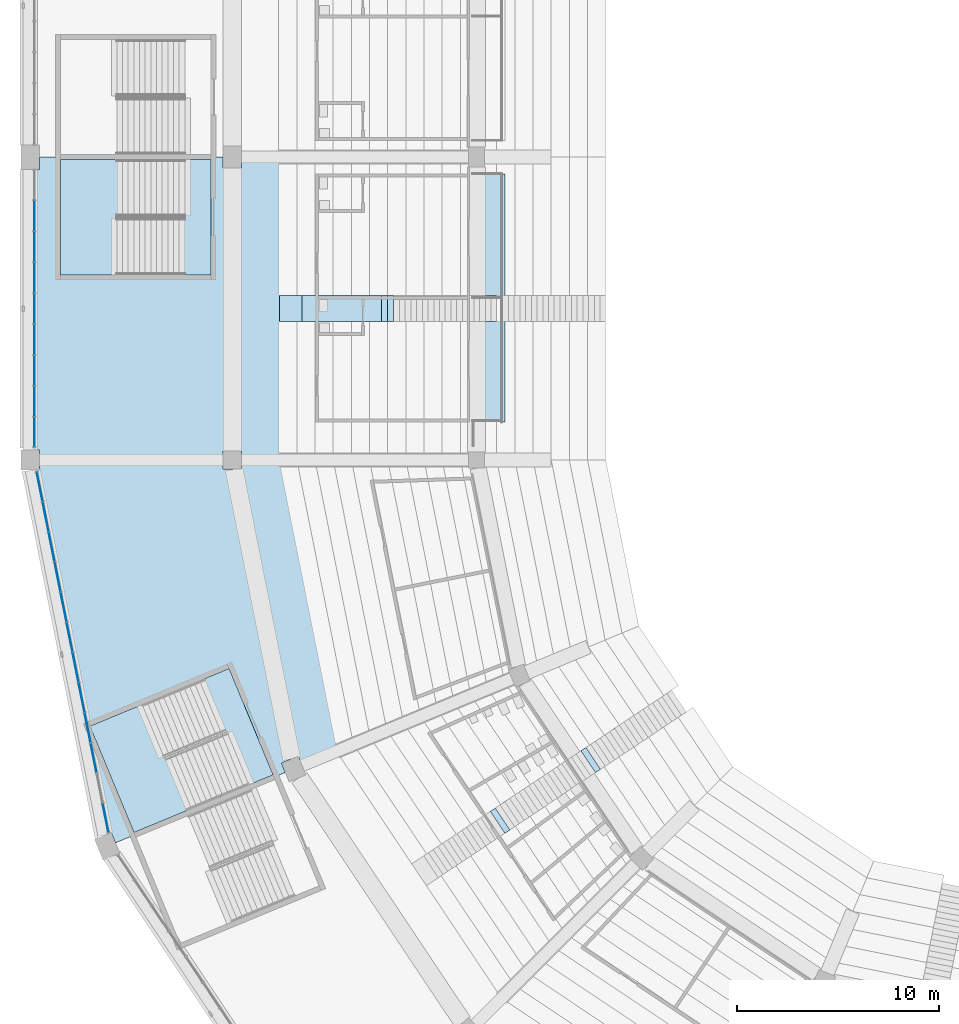
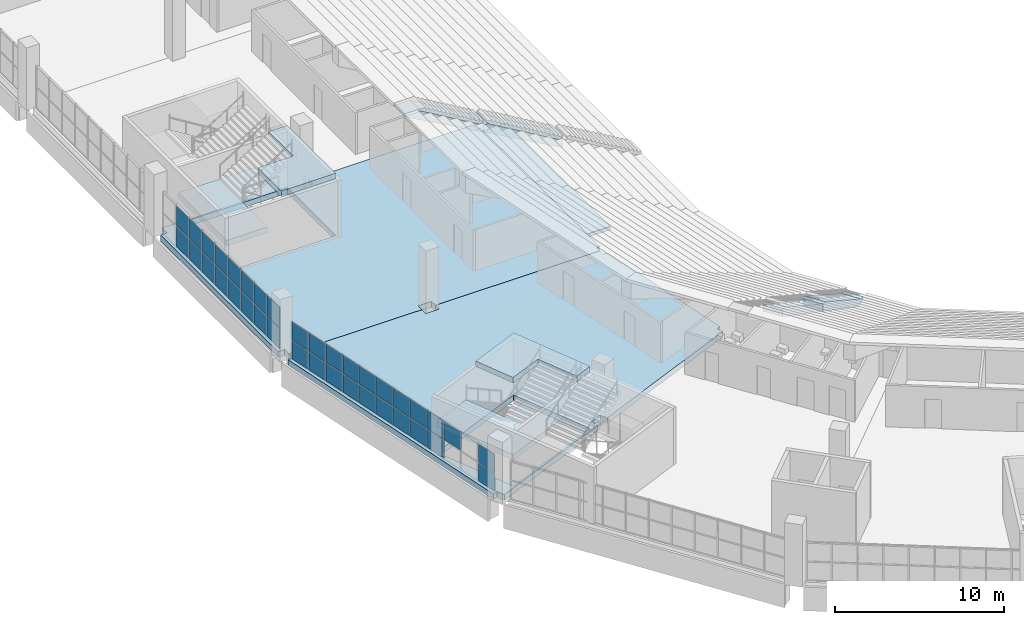
# One storey, part 64 of 249: 37 plates, 11 slabs, 4 elements without a shape of their own.
"""IFC4 building model written with IfcOpenShell, lengths in metres."""

from ifc_helpers import new_model, si_unit, direction, frame, origin, origin_2d, place, context, subcontext, project, spatial, polyline, rectangle, outline, extrude, material, layer, layer_set, type_object, element, aggregate, save


model = new_model("IFC4")

# Units and contexts
model_context = context("Model", 3, precision=1e-05, world=origin(), true_north=direction((0.0, 1.0)))
body_context = subcontext(model_context, "Body", "Model", "MODEL_VIEW")
ifc_project = project(units=[si_unit("LENGTHUNIT", "METRE"), si_unit("AREAUNIT", "SQUARE_METRE"), si_unit("VOLUMEUNIT", "CUBIC_METRE"), si_unit("PLANEANGLEUNIT", "RADIAN"), si_unit("MASSUNIT", "GRAM", prefix="KILO")], contexts=[model_context])

# Site, building, storey
site_placement = place(None, origin())
site = spatial("IfcSite", under=ifc_project, at=site_placement, CompositionType="ELEMENT")
building_placement = place(site_placement, origin())
building = spatial("IfcBuilding", under=site, at=building_placement, Name="Ogive Plaza Stadium", CompositionType="ELEMENT")
storey_placement = place(building_placement, frame((0.0, 0.0, 13.5)))
storey = spatial("IfcBuildingStorey", under=building, at=storey_placement, Name="L03", CompositionType="ELEMENT", Elevation=13.5)

# Slabs
ifc_material_1 = material(Name="Concrete C40/50", Category="concrete")
ifc_layer_1 = layer(ifc_material_1, 0.73486328125)
ifc_layer_set_1 = layer_set([ifc_layer_1], Name="Concrete C40/50")
ifc_layer_2 = layer(ifc_material_1, 0.449951171875)
ifc_layer_set_2 = layer_set([ifc_layer_2], Name="Concrete C40/50")
slab_type_1 = type_object("IfcSlabType", Name="Aisle stair slab 1300", PredefinedType="USERDEFINED", material=ifc_layer_set_2)
slab_1_placement = place(storey_placement, frame((-51.876708984375, -64.44482421875, -13.5), z_axis=(0.0, 0.0, 1.0), x_axis=(-0.831469612303, -0.55557023302, 0.0)))
element("IfcSlab", 1, at=slab_1_placement, inside=storey, type_object=slab_type_1, material=ifc_layer_set_1, Name="Aisle stair SA19U slab 1", ObjectType="AISLE STAIR SLAB", PredefinedType="USERDEFINED", context=body_context, shape_type="SweptSolid", body=[
    extrude(outline(polyline([(0.0, 14.0), (0.2958984375, 14.0), (5.10009765625, 16.825927734375), (5.39990234375, 16.825927734375), (5.39990234375, 16.300048828125), (5.359375, 16.27734375), (5.209228515625, 16.194091796875), (5.059326171875, 16.110595703125), (4.9091796875, 16.02734375), (4.75927734375, 15.944091796875), (4.609375, 15.860595703125), (4.459228515625, 15.77734375), (4.309326171875, 15.694091796875), (4.1591796875, 15.610595703125), (4.00927734375, 15.52734375), (3.859375, 15.444091796875), (3.709228515625, 15.360595703125), (3.559326171875, 15.27734375), (3.4091796875, 15.194091796875), (3.25927734375, 15.110595703125), (3.109375, 15.02734375), (2.959228515625, 14.944091796875), (2.809326171875, 14.860595703125), (2.6591796875, 14.77734375), (2.50927734375, 14.694091796875), (2.359375, 14.610595703125), (2.209228515625, 14.52734375), (2.059326171875, 14.444091796875), (1.9091796875, 14.360595703125), (1.75927734375, 14.27734375), (1.609375, 14.194091796875), (1.459228515625, 14.110595703125), (1.309326171875, 14.02734375), (1.1591796875, 13.944091796875), (1.00927734375, 13.860595703125), (0.859375, 13.77734375), (0.709228515625, 13.75), (0.559326171875, 13.75), (0.4091796875, 13.75), (0.25927734375, 13.75), (0.109375, 13.75), (0.0, 14.0)])), frame((0.0, 0.64990234375, 0.0), z_axis=(0.0, -1.0, 0.0), x_axis=(1.0, 0.0, 0.0)), (0.0, 0.0, 1.0), 1.300048828125),
])
ifc_layer_3 = layer(ifc_material_1, 0.75927734375)
ifc_layer_set_3 = layer_set([ifc_layer_3], Name="Concrete C40/50")
for number, where, z_axis, x_axis, name in (
    (2, (-56.366455078125, -67.44482421875, -13.5), (0.0, 0.0, 1.0), (-0.831469612303, -0.55557023302, 0.0), "Aisle stair SA19U slab 2"),
    (3, (-60.89990234375, -45.0, -13.5), (0.0, 0.0, 1.0), (-1.0, 0.0, 0.0), "Aisle stair SA21U slab 2"),
):
    element("IfcSlab", number, at=place(storey_placement, frame(where, z_axis=z_axis, x_axis=x_axis)), inside=storey, type_object=slab_type_1, material=ifc_layer_set_3, Name=name, ObjectType="AISLE STAIR SLAB", PredefinedType="USERDEFINED", context=body_context, shape_type="SweptSolid", body=[
        extrude(outline(polyline([(0.0, 17.0), (0.2958984375, 17.0), (5.10009765625, 19.825927734375), (5.39990234375, 19.825927734375), (5.39990234375, 19.300048828125), (5.25, 19.216796875), (5.10009765625, 19.13330078125), (4.949951171875, 19.050048828125), (4.800048828125, 18.966796875), (4.64990234375, 18.88330078125), (4.5, 18.800048828125), (4.35009765625, 18.716796875), (4.199951171875, 18.63330078125), (4.050048828125, 18.550048828125), (3.89990234375, 18.466796875), (3.75, 18.38330078125), (3.60009765625, 18.300048828125), (3.449951171875, 18.216796875), (3.300048828125, 18.13330078125), (3.14990234375, 18.050048828125), (3.0, 17.966796875), (2.85009765625, 17.88330078125), (2.699951171875, 17.800048828125), (2.550048828125, 17.716796875), (2.39990234375, 17.63330078125), (2.25, 17.550048828125), (2.10009765625, 17.466796875), (1.949951171875, 17.38330078125), (1.800048828125, 17.300048828125), (1.64990234375, 17.216796875), (1.5, 17.13330078125), (1.35009765625, 17.050048828125), (1.199951171875, 16.966796875), (1.050048828125, 16.88330078125), (0.89990234375, 16.800048828125), (0.75, 16.716796875), (0.60009765625, 16.63330078125), (0.449951171875, 16.550048828125), (0.300048828125, 16.466796875), (0.14990234375, 16.38330078125), (0.0, 16.300048828125), (0.0, 17.0)])), frame((0.0, 0.64990234375, 0.0), z_axis=(0.0, -1.0, 0.0), x_axis=(1.0, 0.0, 0.0)), (0.0, 0.0, 1.0), 1.300048828125),
    ])
ifc_layer_4 = layer(ifc_material_1, 1.08056640625)
ifc_layer_set_4 = layer_set([ifc_layer_4], Name="Concrete C40/50")
slab_2_placement = place(storey_placement, frame((-66.300048828125, -45.0, -13.5), z_axis=(0.0, 0.0, 1.0), x_axis=(-1.0, 0.0, 0.0)))
element("IfcSlab", 4, at=slab_2_placement, inside=storey, type_object=slab_type_1, material=ifc_layer_set_4, Name="Aisle stair SA21U slab 3", ObjectType="AISLE STAIR SLAB", PredefinedType="USERDEFINED", context=body_context, shape_type="SweptSolid", body=[
    extrude(outline(polyline([(0.0, 20.0), (0.2958984375, 20.0), (4.25, 22.325927734375), (5.35009765625, 22.325927734375), (5.35009765625, 22.272216796875), (5.25, 22.216796875), (5.10009765625, 22.13330078125), (4.949951171875, 22.050048828125), (4.800048828125, 21.966796875), (4.64990234375, 21.88330078125), (4.5, 21.800048828125), (4.35009765625, 21.716796875), (4.199951171875, 21.63330078125), (4.050048828125, 21.550048828125), (3.89990234375, 21.466796875), (3.75, 21.38330078125), (3.60009765625, 21.300048828125), (3.449951171875, 21.216796875), (3.300048828125, 21.13330078125), (3.14990234375, 21.050048828125), (3.0, 20.966796875), (2.85009765625, 20.88330078125), (2.699951171875, 20.800048828125), (2.550048828125, 20.716796875), (2.39990234375, 20.63330078125), (2.25, 20.550048828125), (2.10009765625, 20.466796875), (1.949951171875, 20.38330078125), (1.800048828125, 20.300048828125), (1.64990234375, 20.216796875), (1.5, 20.13330078125), (1.35009765625, 20.050048828125), (1.199951171875, 19.966796875), (1.050048828125, 19.88330078125), (0.89990234375, 19.800048828125), (0.75, 19.716796875), (0.60009765625, 19.63330078125), (0.449951171875, 19.550048828125), (0.300048828125, 19.466796875), (0.14990234375, 19.38330078125), (0.0, 19.300048828125), (0.0, 20.0)])), frame((0.0, 0.64990234375, 0.0), z_axis=(0.0, -1.0, 0.0), x_axis=(1.0, 0.0, 0.0)), (0.0, 0.0, 1.0), 1.300048828125),
])
ifc_material_2 = material(Name="Concrete C40/50", Category="concrete")
ifc_layer_5 = layer(ifc_material_2, 0.25)
ifc_layer_set_5 = layer_set([ifc_layer_5], Name="Concrete C40/50")
slab_type_2 = type_object("IfcSlabType", Name="Balcony slab 250", PredefinedType="FLOOR", material=ifc_layer_set_5)
slab_3_placement = place(storey_placement, frame((0.0, 0.0, -0.25)))
element("IfcSlab", 5, at=slab_3_placement, inside=storey, type_object=slab_type_2, Name="Suite terrace slab B21", PredefinedType="FLOOR", context=body_context, shape_type="SweptSolid", body=[
    extrude(outline(polyline([(-60.5, -38.324951171875), (-62.10009765625, -38.324951171875), (-62.10009765625, -50.625), (-60.5, -50.625), (-60.5, -38.324951171875)])), origin(), (0.0, 0.0, 1.0), 0.25),
])

# Curtain wall, plates
ifc_material_3 = material(Name="Bronze-anodised aluminium with laminated glass", Category="aluminium")
curtain_wall_type = type_object("IfcCurtainWallType", Name="Lancet curtain wall", PredefinedType="NOTDEFINED", material=ifc_material_3)
curtain_wall_1_placement = place(storey_placement, origin())
curtain_wall_1 = element("IfcCurtainWall", 6, at=curtain_wall_1_placement, inside=storey, type_object=curtain_wall_type, Name="CURTAIN WALL B20 L03", PredefinedType="NOTDEFINED")
ifc_material_4 = material(Name="Laminated glass", Category="glass")
ifc_layer_6 = layer(ifc_material_4, 0.028076171875)
ifc_layer_set_6 = layer_set([ifc_layer_6], Name="Laminated glass panel 28")
plate_type = type_object("IfcPlateType", Name="Laminated glass panel 28", PredefinedType="CURTAIN_PANEL", material=ifc_layer_set_6)
plate_1_placement = place(storey_placement, frame((-80.269775390625, -70.227783203125, 0.0498046875), z_axis=(0.0, 0.0, 1.0), x_axis=(-0.195090322033, 0.9807852804, 0.0)))
plate_1 = element("IfcPlate", 7, at=plate_1_placement, type_object=plate_type, Name="CW-B20-L03 panel 1.1", PredefinedType="CURTAIN_PANEL", context=body_context, shape_type="SweptSolid", body=[
    extrude(rectangle(XDim=1.447265625, YDim=0.028076171875, at=origin_2d()), origin(), (0.0, 0.0, 1.0), 1.320068359375),
])
plate_2_placement = place(storey_placement, frame((-80.269775390625, -70.227783203125, 1.419921875), z_axis=(0.0, 0.0, 1.0), x_axis=(-0.195090322033, 0.9807852804, 0.0)))
plate_2 = element("IfcPlate", 8, at=plate_2_placement, type_object=plate_type, Name="CW-B20-L03 panel 1.2", PredefinedType="CURTAIN_PANEL", context=body_context, shape_type="SweptSolid", body=[
    extrude(rectangle(XDim=1.447265625, YDim=0.028076171875, at=origin_2d()), origin(), (0.0, 0.0, 1.0), 1.320068359375),
])
plate_3_placement = place(storey_placement, frame((-80.861328125, -67.25390625, 1.419921875), z_axis=(0.0, 0.0, 1.0), x_axis=(-0.195090322033, 0.9807852804, 0.0)))
plate_3 = element("IfcPlate", 9, at=plate_3_placement, type_object=plate_type, Name="CW-B20-L03 panel 3.2", PredefinedType="CURTAIN_PANEL", context=body_context, shape_type="SweptSolid", body=[
    extrude(rectangle(XDim=1.472412109375, YDim=0.028076171875, at=origin_2d()), origin(), (0.0, 0.0, 1.0), 1.320068359375),
])
plate_4_placement = place(storey_placement, frame((-81.158447265625, -65.7607421875, 0.0498046875), z_axis=(0.0, 0.0, 1.0), x_axis=(-0.195090322033, 0.9807852804, 0.0)))
plate_4 = element("IfcPlate", 10, at=plate_4_placement, type_object=plate_type, Name="CW-B20-L03 panel 4.1", PredefinedType="CURTAIN_PANEL", context=body_context, shape_type="SweptSolid", body=[
    extrude(rectangle(XDim=1.472412109375, YDim=0.028076171875, at=origin_2d()), origin(), (0.0, 0.0, 1.0), 1.320068359375),
])
plate_5_placement = place(storey_placement, frame((-81.158447265625, -65.7607421875, 1.419921875), z_axis=(0.0, 0.0, 1.0), x_axis=(-0.195090322033, 0.9807852804, 0.0)))
plate_5 = element("IfcPlate", 11, at=plate_5_placement, type_object=plate_type, Name="CW-B20-L03 panel 4.2", PredefinedType="CURTAIN_PANEL", context=body_context, shape_type="SweptSolid", body=[
    extrude(rectangle(XDim=1.472412109375, YDim=0.028076171875, at=origin_2d()), origin(), (0.0, 0.0, 1.0), 1.320068359375),
])
plate_6_placement = place(storey_placement, frame((-81.455322265625, -64.267822265625, 0.0498046875), z_axis=(0.0, 0.0, 1.0), x_axis=(-0.195090322033, 0.9807852804, 0.0)))
plate_6 = element("IfcPlate", 12, at=plate_6_placement, type_object=plate_type, Name="CW-B20-L03 panel 5.1", PredefinedType="CURTAIN_PANEL", context=body_context, shape_type="SweptSolid", body=[
    extrude(rectangle(XDim=1.472412109375, YDim=0.028076171875, at=origin_2d()), origin(), (0.0, 0.0, 1.0), 1.320068359375),
])
plate_7_placement = place(storey_placement, frame((-81.455322265625, -64.267822265625, 1.419921875), z_axis=(0.0, 0.0, 1.0), x_axis=(-0.195090322033, 0.9807852804, 0.0)))
plate_7 = element("IfcPlate", 13, at=plate_7_placement, type_object=plate_type, Name="CW-B20-L03 panel 5.2", PredefinedType="CURTAIN_PANEL", context=body_context, shape_type="SweptSolid", body=[
    extrude(rectangle(XDim=1.472412109375, YDim=0.028076171875, at=origin_2d()), origin(), (0.0, 0.0, 1.0), 1.320068359375),
])
plate_8_placement = place(storey_placement, frame((-81.75244140625, -62.774658203125, 0.0498046875), z_axis=(0.0, 0.0, 1.0), x_axis=(-0.195090322033, 0.9807852804, 0.0)))
plate_8 = element("IfcPlate", 14, at=plate_8_placement, type_object=plate_type, Name="CW-B20-L03 panel 6.1", PredefinedType="CURTAIN_PANEL", context=body_context, shape_type="SweptSolid", body=[
    extrude(rectangle(XDim=1.472412109375, YDim=0.028076171875, at=origin_2d()), origin(), (0.0, 0.0, 1.0), 1.320068359375),
])
plate_9_placement = place(storey_placement, frame((-81.75244140625, -62.774658203125, 1.419921875), z_axis=(0.0, 0.0, 1.0), x_axis=(-0.195090322033, 0.9807852804, 0.0)))
plate_9 = element("IfcPlate", 15, at=plate_9_placement, type_object=plate_type, Name="CW-B20-L03 panel 6.2", PredefinedType="CURTAIN_PANEL", context=body_context, shape_type="SweptSolid", body=[
    extrude(rectangle(XDim=1.472412109375, YDim=0.028076171875, at=origin_2d()), origin(), (0.0, 0.0, 1.0), 1.320068359375),
])
plate_10_placement = place(storey_placement, frame((-82.04931640625, -61.281494140625, 0.0498046875), z_axis=(0.0, 0.0, 1.0), x_axis=(-0.195090322033, 0.9807852804, 0.0)))
plate_10 = element("IfcPlate", 16, at=plate_10_placement, type_object=plate_type, Name="CW-B20-L03 panel 7.1", PredefinedType="CURTAIN_PANEL", context=body_context, shape_type="SweptSolid", body=[
    extrude(rectangle(XDim=1.472412109375, YDim=0.028076171875, at=origin_2d()), origin(), (0.0, 0.0, 1.0), 1.320068359375),
])
plate_11_placement = place(storey_placement, frame((-82.04931640625, -61.281494140625, 1.419921875), z_axis=(0.0, 0.0, 1.0), x_axis=(-0.195090322033, 0.9807852804, 0.0)))
plate_11 = element("IfcPlate", 17, at=plate_11_placement, type_object=plate_type, Name="CW-B20-L03 panel 7.2", PredefinedType="CURTAIN_PANEL", context=body_context, shape_type="SweptSolid", body=[
    extrude(rectangle(XDim=1.472412109375, YDim=0.028076171875, at=origin_2d()), origin(), (0.0, 0.0, 1.0), 1.320068359375),
])
plate_12_placement = place(storey_placement, frame((-82.346435546875, -59.788330078125, 0.0498046875), z_axis=(0.0, 0.0, 1.0), x_axis=(-0.195090322033, 0.9807852804, 0.0)))
plate_12 = element("IfcPlate", 18, at=plate_12_placement, type_object=plate_type, Name="CW-B20-L03 panel 8.1", PredefinedType="CURTAIN_PANEL", context=body_context, shape_type="SweptSolid", body=[
    extrude(rectangle(XDim=1.472412109375, YDim=0.028076171875, at=origin_2d()), origin(), (0.0, 0.0, 1.0), 1.320068359375),
])
plate_13_placement = place(storey_placement, frame((-82.346435546875, -59.788330078125, 1.419921875), z_axis=(0.0, 0.0, 1.0), x_axis=(-0.195090322033, 0.9807852804, 0.0)))
plate_13 = element("IfcPlate", 19, at=plate_13_placement, type_object=plate_type, Name="CW-B20-L03 panel 8.2", PredefinedType="CURTAIN_PANEL", context=body_context, shape_type="SweptSolid", body=[
    extrude(rectangle(XDim=1.472412109375, YDim=0.028076171875, at=origin_2d()), origin(), (0.0, 0.0, 1.0), 1.320068359375),
])
plate_14_placement = place(storey_placement, frame((-82.643310546875, -58.29541015625, 0.0498046875), z_axis=(0.0, 0.0, 1.0), x_axis=(-0.195090322033, 0.9807852804, 0.0)))
plate_14 = element("IfcPlate", 20, at=plate_14_placement, type_object=plate_type, Name="CW-B20-L03 panel 9.1", PredefinedType="CURTAIN_PANEL", context=body_context, shape_type="SweptSolid", body=[
    extrude(rectangle(XDim=1.472412109375, YDim=0.028076171875, at=origin_2d()), origin(), (0.0, 0.0, 1.0), 1.320068359375),
])
plate_15_placement = place(storey_placement, frame((-82.643310546875, -58.29541015625, 1.419921875), z_axis=(0.0, 0.0, 1.0), x_axis=(-0.195090322033, 0.9807852804, 0.0)))
plate_15 = element("IfcPlate", 21, at=plate_15_placement, type_object=plate_type, Name="CW-B20-L03 panel 9.2", PredefinedType="CURTAIN_PANEL", context=body_context, shape_type="SweptSolid", body=[
    extrude(rectangle(XDim=1.472412109375, YDim=0.028076171875, at=origin_2d()), origin(), (0.0, 0.0, 1.0), 1.320068359375),
])
plate_16_placement = place(storey_placement, frame((-82.9404296875, -56.80224609375, 0.0498046875), z_axis=(0.0, 0.0, 1.0), x_axis=(-0.195090322033, 0.9807852804, 0.0)))
plate_16 = element("IfcPlate", 22, at=plate_16_placement, type_object=plate_type, Name="CW-B20-L03 panel 10.1", PredefinedType="CURTAIN_PANEL", context=body_context, shape_type="SweptSolid", body=[
    extrude(rectangle(XDim=1.472412109375, YDim=0.028076171875, at=origin_2d()), origin(), (0.0, 0.0, 1.0), 1.320068359375),
])
plate_17_placement = place(storey_placement, frame((-82.9404296875, -56.80224609375, 1.419921875), z_axis=(0.0, 0.0, 1.0), x_axis=(-0.195090322033, 0.9807852804, 0.0)))
plate_17 = element("IfcPlate", 23, at=plate_17_placement, type_object=plate_type, Name="CW-B20-L03 panel 10.2", PredefinedType="CURTAIN_PANEL", context=body_context, shape_type="SweptSolid", body=[
    extrude(rectangle(XDim=1.472412109375, YDim=0.028076171875, at=origin_2d()), origin(), (0.0, 0.0, 1.0), 1.320068359375),
])
plate_18_placement = place(storey_placement, frame((-83.2373046875, -55.30908203125, 0.0498046875), z_axis=(0.0, 0.0, 1.0), x_axis=(-0.195090322033, 0.9807852804, 0.0)))
plate_18 = element("IfcPlate", 24, at=plate_18_placement, type_object=plate_type, Name="CW-B20-L03 panel 11.1", PredefinedType="CURTAIN_PANEL", context=body_context, shape_type="SweptSolid", body=[
    extrude(rectangle(XDim=1.472412109375, YDim=0.028076171875, at=origin_2d()), origin(), (0.0, 0.0, 1.0), 1.320068359375),
])
plate_19_placement = place(storey_placement, frame((-83.2373046875, -55.30908203125, 1.419921875), z_axis=(0.0, 0.0, 1.0), x_axis=(-0.195090322033, 0.9807852804, 0.0)))
plate_19 = element("IfcPlate", 25, at=plate_19_placement, type_object=plate_type, Name="CW-B20-L03 panel 11.2", PredefinedType="CURTAIN_PANEL", context=body_context, shape_type="SweptSolid", body=[
    extrude(rectangle(XDim=1.472412109375, YDim=0.028076171875, at=origin_2d()), origin(), (0.0, 0.0, 1.0), 1.320068359375),
])
plate_20_placement = place(storey_placement, frame((-83.531982421875, -53.828369140625, 0.0498046875), z_axis=(0.0, 0.0, 1.0), x_axis=(-0.195090322033, 0.9807852804, 0.0)))
plate_20 = element("IfcPlate", 26, at=plate_20_placement, type_object=plate_type, Name="CW-B20-L03 panel 12.1", PredefinedType="CURTAIN_PANEL", context=body_context, shape_type="SweptSolid", body=[
    extrude(rectangle(XDim=1.447265625, YDim=0.028076171875, at=origin_2d()), origin(), (0.0, 0.0, 1.0), 1.320068359375),
])
plate_21_placement = place(storey_placement, frame((-83.531982421875, -53.828369140625, 1.419921875), z_axis=(0.0, 0.0, 1.0), x_axis=(-0.195090322033, 0.9807852804, 0.0)))
plate_21 = element("IfcPlate", 27, at=plate_21_placement, type_object=plate_type, Name="CW-B20-L03 panel 12.2", PredefinedType="CURTAIN_PANEL", context=body_context, shape_type="SweptSolid", body=[
    extrude(rectangle(XDim=1.447265625, YDim=0.028076171875, at=origin_2d()), origin(), (0.0, 0.0, 1.0), 1.320068359375),
])
aggregate(curtain_wall_1, [plate_1, plate_2, plate_3, plate_4, plate_5, plate_6, plate_7, plate_8, plate_9, plate_10, plate_11, plate_12, plate_13, plate_14, plate_15, plate_16, plate_17, plate_18, plate_19, plate_20, plate_21])

curtain_wall_2_placement = place(storey_placement, origin())
curtain_wall_2 = element("IfcCurtainWall", 28, at=curtain_wall_2_placement, inside=storey, type_object=curtain_wall_type, Name="CURTAIN WALL B21 L03", PredefinedType="NOTDEFINED")
plate_22_placement = place(storey_placement, frame((-83.800048828125, -51.120849609375, 0.0498046875), z_axis=(0.0, 0.0, 1.0), x_axis=(0.0, 1.0, 0.0)))
plate_22 = element("IfcPlate", 29, at=plate_22_placement, type_object=plate_type, Name="CW-B21-L03 panel 1.1", PredefinedType="CURTAIN_PANEL", context=body_context, shape_type="SweptSolid", body=[
    extrude(rectangle(XDim=1.458251953125, YDim=0.028076171875, at=origin_2d()), origin(), (0.0, 0.0, 1.0), 1.469970703125),
])
plate_23_placement = place(storey_placement, frame((-83.800048828125, -51.120849609375, 1.56982421875), z_axis=(0.0, 0.0, 1.0), x_axis=(0.0, 1.0, 0.0)))
plate_23 = element("IfcPlate", 30, at=plate_23_placement, type_object=plate_type, Name="CW-B21-L03 panel 1.2", PredefinedType="CURTAIN_PANEL", context=body_context, shape_type="SweptSolid", body=[
    extrude(rectangle(XDim=1.458251953125, YDim=0.028076171875, at=origin_2d()), origin(), (0.0, 0.0, 1.0), 1.469970703125),
])
plate_24_placement = place(storey_placement, frame((-83.800048828125, -49.60009765625, 0.0498046875), z_axis=(0.0, 0.0, 1.0), x_axis=(0.0, 1.0, 0.0)))
plate_24 = element("IfcPlate", 31, at=plate_24_placement, type_object=plate_type, Name="CW-B21-L03 panel 2.1", PredefinedType="CURTAIN_PANEL", context=body_context, shape_type="SweptSolid", body=[
    extrude(rectangle(XDim=1.4833984375, YDim=0.028076171875, at=origin_2d()), origin(), (0.0, 0.0, 1.0), 1.469970703125),
])
plate_25_placement = place(storey_placement, frame((-83.800048828125, -49.60009765625, 1.56982421875), z_axis=(0.0, 0.0, 1.0), x_axis=(0.0, 1.0, 0.0)))
plate_25 = element("IfcPlate", 32, at=plate_25_placement, type_object=plate_type, Name="CW-B21-L03 panel 2.2", PredefinedType="CURTAIN_PANEL", context=body_context, shape_type="SweptSolid", body=[
    extrude(rectangle(XDim=1.4833984375, YDim=0.028076171875, at=origin_2d()), origin(), (0.0, 0.0, 1.0), 1.469970703125),
])
plate_26_placement = place(storey_placement, frame((-83.800048828125, -48.066650390625, 0.0498046875), z_axis=(0.0, 0.0, 1.0), x_axis=(0.0, 1.0, 0.0)))
plate_26 = element("IfcPlate", 33, at=plate_26_placement, type_object=plate_type, Name="CW-B21-L03 panel 3.1", PredefinedType="CURTAIN_PANEL", context=body_context, shape_type="SweptSolid", body=[
    extrude(rectangle(XDim=1.4833984375, YDim=0.028076171875, at=origin_2d()), origin(), (0.0, 0.0, 1.0), 1.469970703125),
])
plate_27_placement = place(storey_placement, frame((-83.800048828125, -48.066650390625, 1.56982421875), z_axis=(0.0, 0.0, 1.0), x_axis=(0.0, 1.0, 0.0)))
plate_27 = element("IfcPlate", 34, at=plate_27_placement, type_object=plate_type, Name="CW-B21-L03 panel 3.2", PredefinedType="CURTAIN_PANEL", context=body_context, shape_type="SweptSolid", body=[
    extrude(rectangle(XDim=1.4833984375, YDim=0.028076171875, at=origin_2d()), origin(), (0.0, 0.0, 1.0), 1.469970703125),
])
plate_28_placement = place(storey_placement, frame((-83.800048828125, -46.533447265625, 0.0498046875), z_axis=(0.0, 0.0, 1.0), x_axis=(0.0, 1.0, 0.0)))
plate_28 = element("IfcPlate", 35, at=plate_28_placement, type_object=plate_type, Name="CW-B21-L03 panel 4.1", PredefinedType="CURTAIN_PANEL", context=body_context, shape_type="SweptSolid", body=[
    extrude(rectangle(XDim=1.4833984375, YDim=0.028076171875, at=origin_2d()), origin(), (0.0, 0.0, 1.0), 1.469970703125),
])
plate_29_placement = place(storey_placement, frame((-83.800048828125, -46.533447265625, 1.56982421875), z_axis=(0.0, 0.0, 1.0), x_axis=(0.0, 1.0, 0.0)))
plate_29 = element("IfcPlate", 36, at=plate_29_placement, type_object=plate_type, Name="CW-B21-L03 panel 4.2", PredefinedType="CURTAIN_PANEL", context=body_context, shape_type="SweptSolid", body=[
    extrude(rectangle(XDim=1.4833984375, YDim=0.028076171875, at=origin_2d()), origin(), (0.0, 0.0, 1.0), 1.469970703125),
])
plate_30_placement = place(storey_placement, frame((-83.800048828125, -45.0, 0.0498046875), z_axis=(0.0, 0.0, 1.0), x_axis=(0.0, 1.0, 0.0)))
plate_30 = element("IfcPlate", 37, at=plate_30_placement, type_object=plate_type, Name="CW-B21-L03 panel 5.1", PredefinedType="CURTAIN_PANEL", context=body_context, shape_type="SweptSolid", body=[
    extrude(rectangle(XDim=1.4833984375, YDim=0.028076171875, at=origin_2d()), origin(), (0.0, 0.0, 1.0), 1.469970703125),
])
plate_31_placement = place(storey_placement, frame((-83.800048828125, -45.0, 1.56982421875), z_axis=(0.0, 0.0, 1.0), x_axis=(0.0, 1.0, 0.0)))
plate_31 = element("IfcPlate", 38, at=plate_31_placement, type_object=plate_type, Name="CW-B21-L03 panel 5.2", PredefinedType="CURTAIN_PANEL", context=body_context, shape_type="SweptSolid", body=[
    extrude(rectangle(XDim=1.4833984375, YDim=0.028076171875, at=origin_2d()), origin(), (0.0, 0.0, 1.0), 1.469970703125),
])
plate_32_placement = place(storey_placement, frame((-83.800048828125, -43.466552734375, 0.0498046875), z_axis=(0.0, 0.0, 1.0), x_axis=(0.0, 1.0, 0.0)))
plate_32 = element("IfcPlate", 39, at=plate_32_placement, type_object=plate_type, Name="CW-B21-L03 panel 6.1", PredefinedType="CURTAIN_PANEL", context=body_context, shape_type="SweptSolid", body=[
    extrude(rectangle(XDim=1.4833984375, YDim=0.028076171875, at=origin_2d()), origin(), (0.0, 0.0, 1.0), 1.469970703125),
])
plate_33_placement = place(storey_placement, frame((-83.800048828125, -43.466552734375, 1.56982421875), z_axis=(0.0, 0.0, 1.0), x_axis=(0.0, 1.0, 0.0)))
plate_33 = element("IfcPlate", 40, at=plate_33_placement, type_object=plate_type, Name="CW-B21-L03 panel 6.2", PredefinedType="CURTAIN_PANEL", context=body_context, shape_type="SweptSolid", body=[
    extrude(rectangle(XDim=1.4833984375, YDim=0.028076171875, at=origin_2d()), origin(), (0.0, 0.0, 1.0), 1.469970703125),
])
plate_34_placement = place(storey_placement, frame((-83.800048828125, -41.933349609375, 0.0498046875), z_axis=(0.0, 0.0, 1.0), x_axis=(0.0, 1.0, 0.0)))
plate_34 = element("IfcPlate", 41, at=plate_34_placement, type_object=plate_type, Name="CW-B21-L03 panel 7.1", PredefinedType="CURTAIN_PANEL", context=body_context, shape_type="SweptSolid", body=[
    extrude(rectangle(XDim=1.4833984375, YDim=0.028076171875, at=origin_2d()), origin(), (0.0, 0.0, 1.0), 1.469970703125),
])
plate_35_placement = place(storey_placement, frame((-83.800048828125, -41.933349609375, 1.56982421875), z_axis=(0.0, 0.0, 1.0), x_axis=(0.0, 1.0, 0.0)))
plate_35 = element("IfcPlate", 42, at=plate_35_placement, type_object=plate_type, Name="CW-B21-L03 panel 7.2", PredefinedType="CURTAIN_PANEL", context=body_context, shape_type="SweptSolid", body=[
    extrude(rectangle(XDim=1.4833984375, YDim=0.028076171875, at=origin_2d()), origin(), (0.0, 0.0, 1.0), 1.469970703125),
])
plate_36_placement = place(storey_placement, frame((-83.800048828125, -40.39990234375, 0.0498046875), z_axis=(0.0, 0.0, 1.0), x_axis=(0.0, 1.0, 0.0)))
plate_36 = element("IfcPlate", 43, at=plate_36_placement, type_object=plate_type, Name="CW-B21-L03 panel 8.1", PredefinedType="CURTAIN_PANEL", context=body_context, shape_type="SweptSolid", body=[
    extrude(rectangle(XDim=1.4833984375, YDim=0.028076171875, at=origin_2d()), origin(), (0.0, 0.0, 1.0), 1.469970703125),
])
plate_37_placement = place(storey_placement, frame((-83.800048828125, -40.39990234375, 1.56982421875), z_axis=(0.0, 0.0, 1.0), x_axis=(0.0, 1.0, 0.0)))
plate_37 = element("IfcPlate", 44, at=plate_37_placement, type_object=plate_type, Name="CW-B21-L03 panel 8.2", PredefinedType="CURTAIN_PANEL", context=body_context, shape_type="SweptSolid", body=[
    extrude(rectangle(XDim=1.4833984375, YDim=0.028076171875, at=origin_2d()), origin(), (0.0, 0.0, 1.0), 1.469970703125),
])
aggregate(curtain_wall_2, [plate_22, plate_23, plate_24, plate_25, plate_26, plate_27, plate_28, plate_29, plate_30, plate_31, plate_32, plate_33, plate_34, plate_35, plate_36, plate_37])

# Slabs
ifc_material_5 = material(Name="Concrete C40/50", Category="concrete")
ifc_layer_7 = layer(ifc_material_5, 0.409912109375)
ifc_layer_set_7 = layer_set([ifc_layer_7], Name="Concrete C40/50")
slab_type_3 = type_object("IfcSlabType", Name="RC floor slab 410", PredefinedType="FLOOR", material=ifc_layer_set_7)
slab_4_placement = place(storey_placement, frame((0.0, 0.0, -0.409912109375)))
element("IfcSlab", 45, at=slab_4_placement, inside=storey, type_object=slab_type_3, Name="Floor slab L03 B20", PredefinedType="FLOOR", context=body_context, shape_type="SweptSolid", body=[
    extrude(outline(polyline([(-73.550048828125, -52.5), (-73.550048828125, -52.949951171875), (-74.449951171875, -52.949951171875), (-74.449951171875, -52.5), (-83.550048828125, -52.5), (-83.550048828125, -53.0), (-83.900634765625, -53.0), (-80.303466796875, -71.084228515625), (-79.98876953125, -70.953857421875), (-79.7783203125, -71.4619140625), (-71.370849609375, -67.9794921875), (-71.562255859375, -67.517578125), (-70.730712890625, -67.173095703125), (-70.53955078125, -67.635009765625), (-60.145751953125, -63.329833984375), (-60.318115234375, -62.914306640625), (-60.050537109375, -62.803466796875), (-62.0205078125, -52.89990234375), (-62.300048828125, -52.89990234375), (-62.300048828125, -52.5), (-73.550048828125, -52.5)]), holes=[polyline([(-71.97314453125, -68.09375), (-74.154296875, -62.82763671875), (-81.046630859375, -65.682373046875), (-78.865234375, -70.948486328125), (-71.97314453125, -68.09375)])]), origin(), (0.0, 0.0, 1.0), 0.409912109375),
])
slab_5_placement = place(storey_placement, frame((0.0, 0.0, -0.409912109375)))
element("IfcSlab", 46, at=slab_5_placement, inside=storey, type_object=slab_type_3, Name="Floor slab L03 B21", PredefinedType="FLOOR", context=body_context, shape_type="SweptSolid", body=[
    extrude(outline(polyline([(-73.550048828125, -37.5), (-73.550048828125, -38.050048828125), (-74.449951171875, -38.050048828125), (-74.449951171875, -37.5), (-83.550048828125, -37.5), (-83.550048828125, -38.10009765625), (-84.0, -38.10009765625), (-84.0, -52.0), (-83.550048828125, -52.0), (-83.550048828125, -52.5), (-74.449951171875, -52.5), (-74.449951171875, -52.050048828125), (-73.550048828125, -52.050048828125), (-73.550048828125, -52.5), (-62.300048828125, -52.5), (-62.300048828125, -52.10009765625), (-62.10009765625, -52.10009765625), (-62.10009765625, -38.0), (-62.300048828125, -38.0), (-62.300048828125, -37.5), (-73.550048828125, -37.5)]), holes=[polyline([(-75.050048828125, -43.324951171875), (-75.050048828125, -37.625), (-82.510009765625, -37.625), (-82.510009765625, -43.324951171875), (-75.050048828125, -43.324951171875)])]), origin(), (0.0, 0.0, 1.0), 0.409912109375),
])

# Stair, slabs
ifc_material_6 = material(Name="Concrete C40/50", Category="concrete")
stair_type = type_object("IfcStairType", Name="Exit stair", PredefinedType="STRAIGHT_RUN_STAIR", material=ifc_material_6)
stair_1_placement = place(storey_placement, origin())
stair_1 = element("IfcStair", 47, at=stair_1_placement, inside=storey, type_object=stair_type, Name="Exit stair ST20A L03 to L04", PredefinedType="STRAIGHT_RUN_STAIR")
ifc_material_7 = material(Name="Concrete C40/50", Category="concrete")
ifc_layer_8 = layer(ifc_material_7, 0.39990234375)
ifc_layer_set_8 = layer_set([ifc_layer_8], Name="Concrete C40/50")
slab_type_4 = type_object("IfcSlabType", Name="Stair landing", PredefinedType="LANDING", material=ifc_layer_set_8)
slab_6_placement = place(storey_placement, frame((0.0, 0.0, 1.85009765625)))
slab_6 = element("IfcSlab", 48, at=slab_6_placement, type_object=slab_type_4, Name="ST20A landing 1", PredefinedType="LANDING", context=body_context, shape_type="SweptSolid", body=[
    extrude(outline(polyline([(-78.865234375, -70.948486328125), (-81.046630859375, -65.682373046875), (-78.459716796875, -64.61083984375), (-77.349853515625, -67.2900390625), (-75.132568359375, -66.37158203125), (-74.06103515625, -68.95849609375), (-76.2783203125, -69.876953125), (-78.865234375, -70.948486328125)])), origin(), (0.0, 0.0, 1.0), 0.39990234375),
])
slab_7_placement = place(storey_placement, frame((0.0, 0.0, 4.10009765625)))
slab_7 = element("IfcSlab", 49, at=slab_7_placement, type_object=slab_type_4, Name="ST20A landing 2", PredefinedType="LANDING", context=body_context, shape_type="SweptSolid", body=[
    extrude(outline(polyline([(-76.501220703125, -66.830322265625), (-77.57275390625, -64.243408203125), (-75.35546875, -63.324951171875), (-74.154296875, -62.82763671875), (-71.97314453125, -68.09375), (-73.174072265625, -68.591064453125), (-74.283935546875, -65.911865234375), (-76.501220703125, -66.830322265625)])), origin(), (0.0, 0.0, 1.0), 0.39990234375),
])
aggregate(stair_1, [slab_6, slab_7])

stair_2_placement = place(storey_placement, origin())
stair_2 = element("IfcStair", 50, at=stair_2_placement, inside=storey, type_object=stair_type, Name="Exit stair ST22B L03 to L04", PredefinedType="STRAIGHT_RUN_STAIR")
slab_8_placement = place(storey_placement, frame((0.0, 0.0, 1.85009765625)))
slab_8 = element("IfcSlab", 51, at=slab_8_placement, type_object=slab_type_4, Name="ST22B landing 1", PredefinedType="LANDING", context=body_context, shape_type="SweptSolid", body=[
    extrude(outline(polyline([(-77.31005859375, -37.625), (-77.31005859375, -40.425048828125), (-79.7099609375, -40.425048828125), (-79.7099609375, -43.324951171875), (-82.510009765625, -43.324951171875), (-82.510009765625, -37.625), (-79.7099609375, -37.625), (-77.31005859375, -37.625)])), origin(), (0.0, 0.0, 1.0), 0.39990234375),
])
slab_9_placement = place(storey_placement, frame((0.0, 0.0, 4.10009765625)))
slab_9 = element("IfcSlab", 52, at=slab_9_placement, type_object=slab_type_4, Name="ST22B landing 2", PredefinedType="LANDING", context=body_context, shape_type="SweptSolid", body=[
    extrude(outline(polyline([(-76.35009765625, -37.625), (-75.050048828125, -37.625), (-75.050048828125, -43.324951171875), (-76.35009765625, -43.324951171875), (-78.75, -43.324951171875), (-78.75, -40.52490234375), (-76.35009765625, -40.52490234375), (-76.35009765625, -37.625)])), origin(), (0.0, 0.0, 1.0), 0.39990234375),
])
aggregate(stair_2, [slab_8, slab_9])

save(model, "model.ifc")
